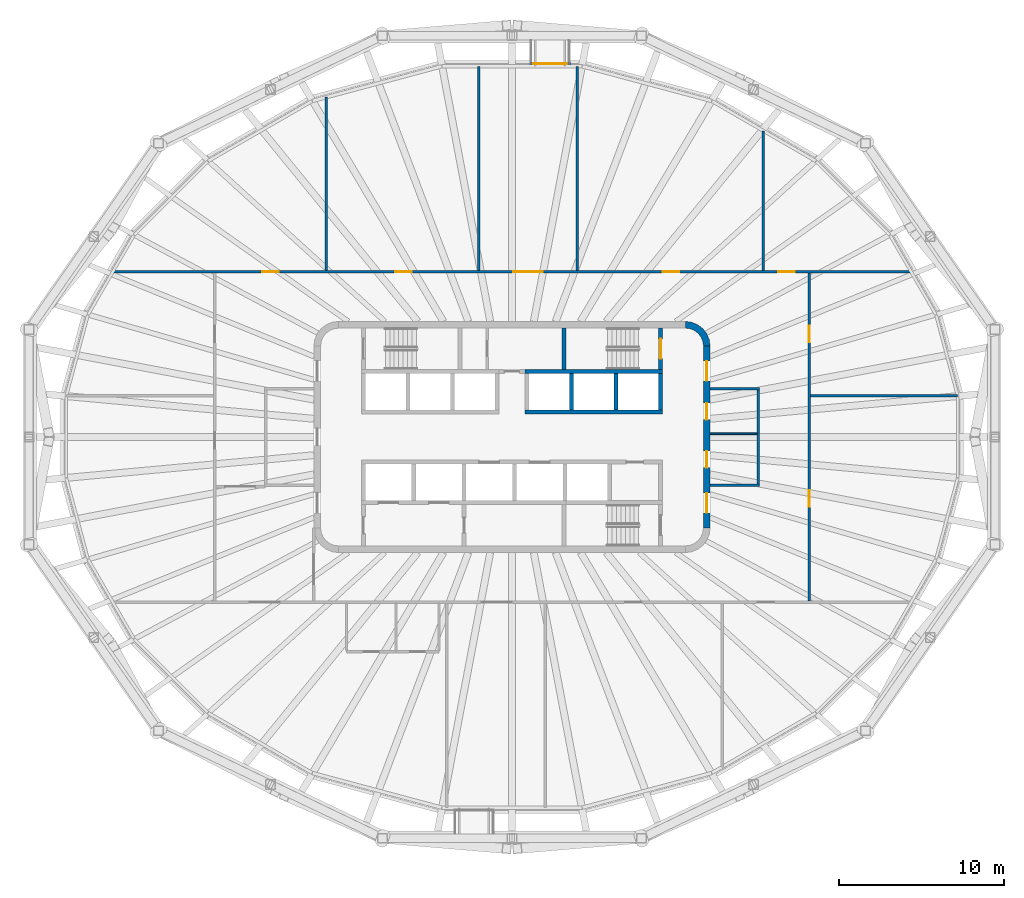
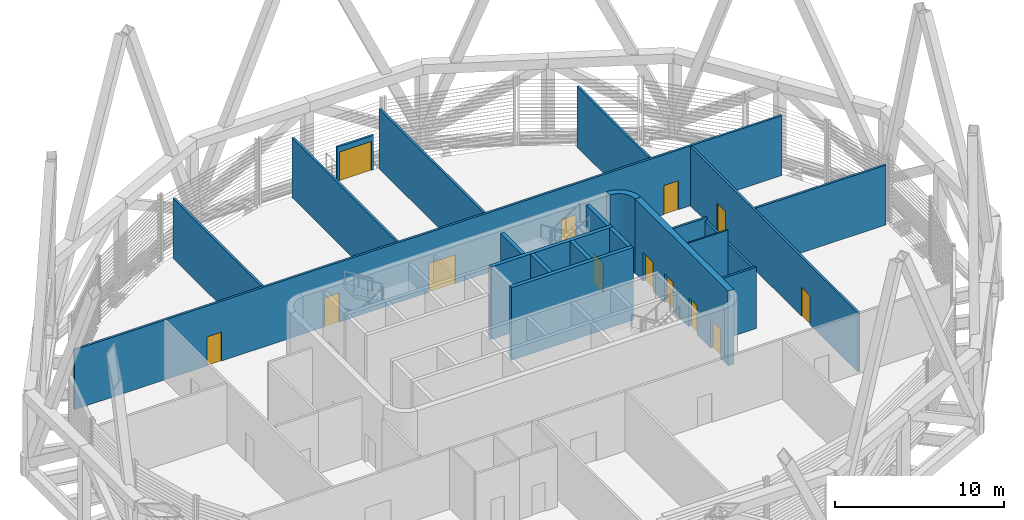
# One storey, part 7 of 16: 21 walls, 13 doors, 13 openings.
"""IFC4 building model written with IfcOpenShell, lengths in metres."""

from ifc_helpers import new_model, si_unit, direction, frame, frame_2d, origin, place, context, subcontext, project, spatial, polyline, rectangle, outline, extrude, material, layer, layer_set, type_object, element, fill, save


model = new_model("IFC4")

# Units and contexts
model_context = context("Model", 3, precision=1e-05, world=origin(), true_north=direction((0.0, 1.0)))
body_context = subcontext(model_context, "Body", "Model", "MODEL_VIEW")
ifc_project = project(units=[si_unit("LENGTHUNIT", "METRE"), si_unit("AREAUNIT", "SQUARE_METRE"), si_unit("VOLUMEUNIT", "CUBIC_METRE"), si_unit("PLANEANGLEUNIT", "RADIAN"), si_unit("MASSUNIT", "GRAM", prefix="KILO")], contexts=[model_context])

# Site, building, storey
site_placement = place(None, origin())
site = spatial("IfcSite", under=ifc_project, at=site_placement, CompositionType="ELEMENT")
building_placement = place(site_placement, origin())
building = spatial("IfcBuilding", under=site, at=building_placement, Name="Sahrelin Media Tower", CompositionType="ELEMENT")
storey_placement = place(building_placement, frame((0.0, 0.0, 299.0)))
storey = spatial("IfcBuildingStorey", under=building, at=storey_placement, Name="L66", CompositionType="ELEMENT", Elevation=299.0)

# Wall, openings, doors
ifc_material_1 = material(Name="Concrete C60/75", Category="concrete")
ifc_layer_1 = layer(ifc_material_1, 0.39990234375)
ifc_layer_set_1 = layer_set([ifc_layer_1], Name="Core wall 400")
wall_type_1 = type_object("IfcWallType", Name="Core wall 400", PredefinedType="SHEAR", material=ifc_layer_set_1)
wall_1_placement = place(storey_placement, frame((11.800048828125, -5.5, 0.0), z_axis=(0.0, 0.0, 1.0), x_axis=(0.0, 1.0, 0.0)))
wall_1 = element("IfcWall", 1, at=wall_1_placement, inside=storey, type_object=wall_type_1, Name="Core wall E L66", PredefinedType="SHEAR", context=body_context, shape_type="SweptSolid", body=[
    extrude(rectangle(XDim=11.0, YDim=0.39990234375, at=frame_2d((5.5, 0.0))), origin(), (0.0, 0.0, 1.0), 5.39990234375),
])
opening_1_placement = place(wall_1_placement, frame((3.64990234375, 0.0, 0.0)))
opening_1 = element("IfcOpeningElement", 2, at=opening_1_placement, cuts=wall_1, Name="Opening L66-D10", PredefinedType="OPENING", context=body_context, shape_type="SweptSolid", body=[
    extrude(rectangle(XDim=1.0, YDim=2.10009765625, at=frame_2d((0.5, 1.050048828125))), frame((0.0, 0.199951171875, 0.0), z_axis=(0.0, -1.0, 0.0), x_axis=(1.0, 0.0, 0.0)), (0.0, 0.0, 1.0), 0.39990234375),
])
opening_2_placement = place(wall_1_placement, frame((6.550048828125, 0.0, 0.0)))
opening_2 = element("IfcOpeningElement", 3, at=opening_2_placement, cuts=wall_1, Name="Opening L66-D11", PredefinedType="OPENING", context=body_context, shape_type="SweptSolid", body=[
    extrude(rectangle(XDim=1.0, YDim=2.10009765625, at=frame_2d((0.5, 1.050048828125))), frame((0.0, 0.199951171875, 0.0), z_axis=(0.0, -1.0, 0.0), x_axis=(1.0, 0.0, 0.0)), (0.0, 0.0, 1.0), 0.39990234375),
])
opening_3_placement = place(wall_1_placement, frame((0.89990234375, 0.0, 0.0)))
opening_3 = element("IfcOpeningElement", 4, at=opening_3_placement, cuts=wall_1, Name="Opening L66-D14", PredefinedType="OPENING", context=body_context, shape_type="SweptSolid", body=[
    extrude(rectangle(XDim=1.199951171875, YDim=2.10009765625, at=frame_2d((0.60009765625, 1.050048828125))), frame((0.0, 0.199951171875, 0.0), z_axis=(0.0, -1.0, 0.0), x_axis=(1.0, 0.0, 0.0)), (0.0, 0.0, 1.0), 0.39990234375),
])
opening_4_placement = place(wall_1_placement, frame((8.89990234375, 0.0, 0.0)))
opening_4 = element("IfcOpeningElement", 5, at=opening_4_placement, cuts=wall_1, Name="Opening L66-D15", PredefinedType="OPENING", context=body_context, shape_type="SweptSolid", body=[
    extrude(rectangle(XDim=1.199951171875, YDim=2.10009765625, at=frame_2d((0.60009765625, 1.050048828125))), frame((0.0, 0.199951171875, 0.0), z_axis=(0.0, -1.0, 0.0), x_axis=(1.0, 0.0, 0.0)), (0.0, 0.0, 1.0), 0.39990234375),
])
ifc_material_2 = material(Name="Steel fire door leaf", Category="steel")
door_type_1 = type_object("IfcDoorType", Name="Fire door 1000 x 2100 EI 60", OperationType="NOTDEFINED", PredefinedType="DOOR", material=ifc_material_2)
door_1_placement = place(opening_1_placement, origin())
door_1 = element("IfcDoor", 6, at=door_1_placement, inside=storey, type_object=door_type_1, Name="Core room door", OperationType="SINGLE_SWING_RIGHT", OverallHeight=2.10009765625, OverallWidth=1.0, PredefinedType="DOOR", context=body_context, shape_type="SweptSolid", body=[
    extrude(rectangle(XDim=1.0, YDim=2.10009765625, at=frame_2d((0.5, 1.050048828125))), frame((0.0, 0.02490234375, 0.0), z_axis=(0.0, -1.0, 0.0), x_axis=(1.0, 0.0, 0.0)), (0.0, 0.0, 1.0), 0.050048828125),
])
fill(opening_1, door_1)
door_2_placement = place(opening_2_placement, origin())
door_2 = element("IfcDoor", 7, at=door_2_placement, inside=storey, type_object=door_type_1, Name="Core room door", OperationType="SINGLE_SWING_RIGHT", OverallHeight=2.10009765625, OverallWidth=1.0, PredefinedType="DOOR", context=body_context, shape_type="SweptSolid", body=[
    extrude(rectangle(XDim=1.0, YDim=2.10009765625, at=frame_2d((0.5, 1.050048828125))), frame((0.0, 0.02490234375, 0.0), z_axis=(0.0, -1.0, 0.0), x_axis=(1.0, 0.0, 0.0)), (0.0, 0.0, 1.0), 0.050048828125),
])
fill(opening_2, door_2)
door_type_2 = type_object("IfcDoorType", Name="Lobby door 1200 x 2100 EI 60", OperationType="NOTDEFINED", PredefinedType="DOOR", material=ifc_material_2)
door_3_placement = place(opening_3_placement, origin())
door_3 = element("IfcDoor", 8, at=door_3_placement, inside=storey, type_object=door_type_2, Name="Lobby door", OperationType="SINGLE_SWING_LEFT", OverallHeight=2.10009765625, OverallWidth=1.199951171875, PredefinedType="DOOR", context=body_context, shape_type="SweptSolid", body=[
    extrude(rectangle(XDim=1.199951171875, YDim=2.10009765625, at=frame_2d((0.60009765625, 1.050048828125))), frame((0.0, 0.02490234375, 0.0), z_axis=(0.0, -1.0, 0.0), x_axis=(1.0, 0.0, 0.0)), (0.0, 0.0, 1.0), 0.050048828125),
])
fill(opening_3, door_3)
door_4_placement = place(opening_4_placement, origin())
door_4 = element("IfcDoor", 9, at=door_4_placement, inside=storey, type_object=door_type_2, Name="Lobby door", OperationType="SINGLE_SWING_LEFT", OverallHeight=2.10009765625, OverallWidth=1.199951171875, PredefinedType="DOOR", context=body_context, shape_type="SweptSolid", body=[
    extrude(rectangle(XDim=1.199951171875, YDim=2.10009765625, at=frame_2d((0.60009765625, 1.050048828125))), frame((0.0, 0.02490234375, 0.0), z_axis=(0.0, -1.0, 0.0), x_axis=(1.0, 0.0, 0.0)), (0.0, 0.0, 1.0), 0.050048828125),
])
fill(opening_4, door_4)

# Walls
wall_2_placement = place(storey_placement, origin())
element("IfcWall", 10, at=wall_2_placement, inside=storey, type_object=wall_type_1, Name="Core wall corner NE L66", PredefinedType="SHEAR", context=body_context, shape_type="SweptSolid", body=[
    extrude(outline(polyline([(10.5, 7.0), (10.5, 6.596435546875), (10.78369140625, 6.55908203125), (11.04833984375, 6.44970703125), (11.275390625, 6.275390625), (11.44970703125, 6.04833984375), (11.55908203125, 5.78369140625), (11.596435546875, 5.5), (12.0, 5.5), (11.948974609375, 5.88818359375), (11.799072265625, 6.25), (11.560791015625, 6.560791015625), (11.25, 6.799072265625), (10.88818359375, 6.948974609375), (10.5, 7.0)])), origin(), (0.0, 0.0, 1.0), 5.39990234375),
])
ifc_material_3 = material(Name="Fire-rated gypsum board partition")
ifc_layer_2 = layer(ifc_material_3, 0.10009765625)
ifc_layer_set_2 = layer_set([ifc_layer_2], Name="Fire-rated partition 100")
wall_type_2 = type_object("IfcWallType", Name="Fire-rated partition 100", PredefinedType="PARTITIONING", material=ifc_layer_set_2)
wall_3_placement = place(storey_placement, frame((12.0, 0.199951171875, 0.0), z_axis=(0.0, 0.0, 1.0), x_axis=(1.0, 0.0, 0.0)))
element("IfcWall", 11, at=wall_3_placement, inside=storey, type_object=wall_type_2, Name="Core room partition", PredefinedType="PARTITIONING", context=body_context, shape_type="SweptSolid", body=[
    extrude(rectangle(XDim=2.85009765625, YDim=0.10009765625, at=frame_2d((1.425048828125, 0.0))), origin(), (0.0, 0.0, 1.0), 5.25),
])
ifc_layer_3 = layer(ifc_material_3, 0.14990234375)
ifc_layer_set_3 = layer_set([ifc_layer_3], Name="Fire-rated partition 150")
wall_type_3 = type_object("IfcWallType", Name="Fire-rated partition 150", PredefinedType="PARTITIONING", material=ifc_layer_set_3)
wall_4_placement = place(storey_placement, frame((14.925048828125, -2.85009765625, 0.0), z_axis=(0.0, 0.0, 1.0), x_axis=(0.0, 1.0, 0.0)))
element("IfcWall", 12, at=wall_4_placement, inside=storey, type_object=wall_type_3, Name="Core room fire partition", PredefinedType="PARTITIONING", context=body_context, shape_type="SweptSolid", body=[
    extrude(rectangle(XDim=5.7001953125, YDim=0.14990234375, at=frame_2d((2.85009765625, 0.0))), origin(), (0.0, 0.0, 1.0), 4.277099609375),
])
wall_5_placement = place(storey_placement, frame((12.0, 2.925048828125, 0.0), z_axis=(0.0, 0.0, 1.0), x_axis=(1.0, 0.0, 0.0)))
element("IfcWall", 13, at=wall_5_placement, inside=storey, type_object=wall_type_3, Name="Core room fire partition", PredefinedType="PARTITIONING", context=body_context, shape_type="SweptSolid", body=[
    extrude(rectangle(XDim=3.0, YDim=0.14990234375, at=frame_2d((1.5, 0.0))), origin(), (0.0, 0.0, 1.0), 4.47607421875),
])
wall_6_placement = place(storey_placement, frame((12.0, -2.925048828125, 0.0), z_axis=(0.0, 0.0, 1.0), x_axis=(1.0, 0.0, 0.0)))
element("IfcWall", 14, at=wall_6_placement, inside=storey, type_object=wall_type_3, Name="Core room fire partition", PredefinedType="PARTITIONING", context=body_context, shape_type="SweptSolid", body=[
    extrude(rectangle(XDim=3.0, YDim=0.14990234375, at=frame_2d((1.5, 0.0))), origin(), (0.0, 0.0, 1.0), 4.426025390625),
])

# Wall, openings, doors
wall_7_placement = place(storey_placement, frame((-24.179443359375, 10.0, 0.0), z_axis=(0.0, 0.0, 1.0), x_axis=(1.0, 0.0, 0.0)))
wall_7 = element("IfcWall", 15, at=wall_7_placement, inside=storey, type_object=wall_type_3, Name="Wall", PredefinedType="PARTITIONING", context=body_context, shape_type="SweptSolid", body=[
    extrude(rectangle(XDim=48.35888671875, YDim=0.14990234375, at=frame_2d((24.179443359375, 0.0))), origin(), (0.0, 0.0, 1.0), 4.326904296875),
])
opening_5_placement = place(wall_7_placement, frame((9.050048828125, 0.0, 0.0)))
opening_5 = element("IfcOpeningElement", 16, at=opening_5_placement, cuts=wall_7, Name="Opening L66-D16", PredefinedType="OPENING", context=body_context, shape_type="SweptSolid", body=[
    extrude(rectangle(XDim=1.0, YDim=2.10009765625, at=frame_2d((0.5, 1.050048828125))), frame((0.0, 0.074951171875, 0.0), z_axis=(0.0, -1.0, 0.0), x_axis=(1.0, 0.0, 0.0)), (0.0, 0.0, 1.0), 0.14990234375),
])
opening_6_placement = place(wall_7_placement, frame((17.10009765625, 0.0, 0.0)))
opening_6 = element("IfcOpeningElement", 17, at=opening_6_placement, cuts=wall_7, Name="Opening L66-D17", PredefinedType="OPENING", context=body_context, shape_type="SweptSolid", body=[
    extrude(rectangle(XDim=1.0, YDim=2.10009765625, at=frame_2d((0.5, 1.050048828125))), frame((0.0, 0.074951171875, 0.0), z_axis=(0.0, -1.0, 0.0), x_axis=(1.0, 0.0, 0.0)), (0.0, 0.0, 1.0), 0.14990234375),
])
opening_7_placement = place(wall_7_placement, frame((33.300048828125, 0.0, 0.0)))
opening_7 = element("IfcOpeningElement", 18, at=opening_7_placement, cuts=wall_7, Name="Opening L66-D18", PredefinedType="OPENING", context=body_context, shape_type="SweptSolid", body=[
    extrude(rectangle(XDim=1.0, YDim=2.10009765625, at=frame_2d((0.5, 1.050048828125))), frame((0.0, 0.074951171875, 0.0), z_axis=(0.0, -1.0, 0.0), x_axis=(1.0, 0.0, 0.0)), (0.0, 0.0, 1.0), 0.14990234375),
])
opening_8_placement = place(wall_7_placement, frame((40.300048828125, 0.0, 0.0)))
opening_8 = element("IfcOpeningElement", 19, at=opening_8_placement, cuts=wall_7, Name="Opening L66-D19", PredefinedType="OPENING", context=body_context, shape_type="SweptSolid", body=[
    extrude(rectangle(XDim=1.0, YDim=2.10009765625, at=frame_2d((0.5, 1.050048828125))), frame((0.0, 0.074951171875, 0.0), z_axis=(0.0, -1.0, 0.0), x_axis=(1.0, 0.0, 0.0)), (0.0, 0.0, 1.0), 0.14990234375),
])
opening_9_placement = place(wall_7_placement, frame((24.25, 0.0, 0.0)))
opening_9 = element("IfcOpeningElement", 20, at=opening_9_placement, cuts=wall_7, Name="Opening L66-D31", PredefinedType="OPENING", context=body_context, shape_type="SweptSolid", body=[
    extrude(rectangle(XDim=1.800048828125, YDim=2.10009765625, at=frame_2d((0.89990234375, 1.050048828125))), frame((0.0, 0.074951171875, 0.0), z_axis=(0.0, -1.0, 0.0), x_axis=(1.0, 0.0, 0.0)), (0.0, 0.0, 1.0), 0.14990234375),
])
door_5_placement = place(opening_5_placement, origin())
door_5 = element("IfcDoor", 21, at=door_5_placement, inside=storey, type_object=door_type_1, Name="Fire door", OperationType="SINGLE_SWING_LEFT", OverallHeight=2.10009765625, OverallWidth=1.0, PredefinedType="DOOR", context=body_context, shape_type="SweptSolid", body=[
    extrude(rectangle(XDim=1.0, YDim=2.10009765625, at=frame_2d((0.5, 1.050048828125))), frame((0.0, 0.02490234375, 0.0), z_axis=(0.0, -1.0, 0.0), x_axis=(1.0, 0.0, 0.0)), (0.0, 0.0, 1.0), 0.050048828125),
])
fill(opening_5, door_5)
door_6_placement = place(opening_6_placement, origin())
door_6 = element("IfcDoor", 22, at=door_6_placement, inside=storey, type_object=door_type_1, Name="Fire door", OperationType="SINGLE_SWING_LEFT", OverallHeight=2.10009765625, OverallWidth=1.0, PredefinedType="DOOR", context=body_context, shape_type="SweptSolid", body=[
    extrude(rectangle(XDim=1.0, YDim=2.10009765625, at=frame_2d((0.5, 1.050048828125))), frame((0.0, 0.02490234375, 0.0), z_axis=(0.0, -1.0, 0.0), x_axis=(1.0, 0.0, 0.0)), (0.0, 0.0, 1.0), 0.050048828125),
])
fill(opening_6, door_6)
door_7_placement = place(opening_7_placement, origin())
door_7 = element("IfcDoor", 23, at=door_7_placement, inside=storey, type_object=door_type_1, Name="Fire door", OperationType="SINGLE_SWING_RIGHT", OverallHeight=2.10009765625, OverallWidth=1.0, PredefinedType="DOOR", context=body_context, shape_type="SweptSolid", body=[
    extrude(rectangle(XDim=1.0, YDim=2.10009765625, at=frame_2d((0.5, 1.050048828125))), frame((0.0, 0.02490234375, 0.0), z_axis=(0.0, -1.0, 0.0), x_axis=(1.0, 0.0, 0.0)), (0.0, 0.0, 1.0), 0.050048828125),
])
fill(opening_7, door_7)
door_8_placement = place(opening_8_placement, origin())
door_8 = element("IfcDoor", 24, at=door_8_placement, inside=storey, type_object=door_type_1, Name="Fire door", OperationType="SINGLE_SWING_RIGHT", OverallHeight=2.10009765625, OverallWidth=1.0, PredefinedType="DOOR", context=body_context, shape_type="SweptSolid", body=[
    extrude(rectangle(XDim=1.0, YDim=2.10009765625, at=frame_2d((0.5, 1.050048828125))), frame((0.0, 0.02490234375, 0.0), z_axis=(0.0, -1.0, 0.0), x_axis=(1.0, 0.0, 0.0)), (0.0, 0.0, 1.0), 0.050048828125),
])
fill(opening_8, door_8)
door_type_3 = type_object("IfcDoorType", Name="Service double door 1800 x 2100 EI 60", OperationType="DOUBLE_DOOR_SINGLE_SWING", PredefinedType="DOOR", material=ifc_material_2)
door_9_placement = place(opening_9_placement, origin())
door_9 = element("IfcDoor", 25, at=door_9_placement, inside=storey, type_object=door_type_3, Name="Service double door", OperationType="DOUBLE_DOOR_SINGLE_SWING", OverallHeight=2.10009765625, OverallWidth=1.800048828125, PredefinedType="DOOR", context=body_context, shape_type="SweptSolid", body=[
    extrude(rectangle(XDim=1.800048828125, YDim=2.10009765625, at=frame_2d((0.89990234375, 1.050048828125))), frame((0.0, 0.02490234375, 0.0), z_axis=(0.0, -1.0, 0.0), x_axis=(1.0, 0.0, 0.0)), (0.0, 0.0, 1.0), 0.050048828125),
])
fill(opening_9, door_9)

wall_8_placement = place(storey_placement, frame((18.0, -9.925048828125, 0.0), z_axis=(0.0, 0.0, 1.0), x_axis=(0.0, 1.0, 0.0)))
wall_8 = element("IfcWall", 26, at=wall_8_placement, inside=storey, type_object=wall_type_3, Name="Wall", PredefinedType="PARTITIONING", context=body_context, shape_type="SweptSolid", body=[
    extrude(rectangle(XDim=19.85009765625, YDim=0.14990234375, at=frame_2d((9.925048828125, 0.0))), origin(), (0.0, 0.0, 1.0), 4.277099609375),
])
opening_10_placement = place(wall_8_placement, frame((5.699951171875, 0.0, 0.0)))
opening_10 = element("IfcOpeningElement", 27, at=opening_10_placement, cuts=wall_8, Name="Opening L66-D22", PredefinedType="OPENING", context=body_context, shape_type="SweptSolid", body=[
    extrude(rectangle(XDim=1.0, YDim=2.10009765625, at=frame_2d((0.5, 1.050048828125))), frame((0.0, 0.074951171875, 0.0), z_axis=(0.0, -1.0, 0.0), x_axis=(1.0, 0.0, 0.0)), (0.0, 0.0, 1.0), 0.14990234375),
])
opening_11_placement = place(wall_8_placement, frame((15.675048828125, 0.0, 0.0)))
opening_11 = element("IfcOpeningElement", 28, at=opening_11_placement, cuts=wall_8, Name="Opening L66-D23", PredefinedType="OPENING", context=body_context, shape_type="SweptSolid", body=[
    extrude(rectangle(XDim=1.0, YDim=2.10009765625, at=frame_2d((0.5, 1.050048828125))), frame((0.0, 0.074951171875, 0.0), z_axis=(0.0, -1.0, 0.0), x_axis=(1.0, 0.0, 0.0)), (0.0, 0.0, 1.0), 0.14990234375),
])
door_10_placement = place(opening_10_placement, origin())
door_10 = element("IfcDoor", 29, at=door_10_placement, inside=storey, type_object=door_type_1, Name="Fire door", OperationType="SINGLE_SWING_LEFT", OverallHeight=2.10009765625, OverallWidth=1.0, PredefinedType="DOOR", context=body_context, shape_type="SweptSolid", body=[
    extrude(rectangle(XDim=1.0, YDim=2.10009765625, at=frame_2d((0.5, 1.050048828125))), frame((0.0, 0.02490234375, 0.0), z_axis=(0.0, -1.0, 0.0), x_axis=(1.0, 0.0, 0.0)), (0.0, 0.0, 1.0), 0.050048828125),
])
fill(opening_10, door_10)
door_11_placement = place(opening_11_placement, origin())
door_11 = element("IfcDoor", 30, at=door_11_placement, inside=storey, type_object=door_type_1, Name="Fire door", OperationType="SINGLE_SWING_RIGHT", OverallHeight=2.10009765625, OverallWidth=1.0, PredefinedType="DOOR", context=body_context, shape_type="SweptSolid", body=[
    extrude(rectangle(XDim=1.0, YDim=2.10009765625, at=frame_2d((0.5, 1.050048828125))), frame((0.0, 0.02490234375, 0.0), z_axis=(0.0, -1.0, 0.0), x_axis=(1.0, 0.0, 0.0)), (0.0, 0.0, 1.0), 0.050048828125),
])
fill(opening_11, door_11)

# Walls
for number, where, z_axis, x_axis, name in (
    (31, (-2.0, 10.074951171875, 0.0), (0.0, 0.0, 1.0), (0.0, 1.0, 0.0), "Wall"),
    (32, (3.949951171875, 10.074951171875, 0.0), (0.0, 0.0, 1.0), (0.0, 1.0, 0.0), "Wall"),
):
    element("IfcWall", number, at=place(storey_placement, frame(where, z_axis=z_axis, x_axis=x_axis)), inside=storey, type_object=wall_type_3, Name=name, PredefinedType="PARTITIONING", context=body_context, shape_type="SweptSolid", body=[
        extrude(rectangle(XDim=12.38037109375, YDim=0.14990234375, at=frame_2d((6.190185546875, 0.0))), origin(), (0.0, 0.0, 1.0), 4.326904296875),
    ])
wall_9_placement = place(storey_placement, frame((-11.239990234375, 10.074951171875, 0.0), z_axis=(0.0, 0.0, 1.0), x_axis=(0.0, 1.0, 0.0)))
element("IfcWall", 33, at=wall_9_placement, inside=storey, type_object=wall_type_3, Name="Wall", PredefinedType="PARTITIONING", context=body_context, shape_type="SweptSolid", body=[
    extrude(rectangle(XDim=10.505126953125, YDim=0.14990234375, at=frame_2d((5.25244140625, 0.0))), origin(), (0.0, 0.0, 1.0), 4.326904296875),
])
wall_10_placement = place(storey_placement, frame((15.219970703125, 10.074951171875, 0.0), z_axis=(0.0, 0.0, 1.0), x_axis=(0.0, 1.0, 0.0)))
element("IfcWall", 34, at=wall_10_placement, inside=storey, type_object=wall_type_3, Name="Wall", PredefinedType="PARTITIONING", context=body_context, shape_type="SweptSolid", body=[
    extrude(rectangle(XDim=8.4736328125, YDim=0.14990234375, at=frame_2d((4.23681640625, 0.0))), origin(), (0.0, 0.0, 1.0), 4.395263671875),
])
wall_11_placement = place(storey_placement, frame((18.074951171875, 2.5, 0.0), z_axis=(0.0, 0.0, 1.0), x_axis=(1.0, 0.0, 0.0)))
element("IfcWall", 35, at=wall_11_placement, inside=storey, type_object=wall_type_3, Name="Wall", PredefinedType="PARTITIONING", context=body_context, shape_type="SweptSolid", body=[
    extrude(rectangle(XDim=8.919677734375, YDim=0.14990234375, at=frame_2d((4.4599609375, 0.0))), origin(), (0.0, 0.0, 1.0), 4.326904296875),
])
ifc_layer_4 = layer(ifc_material_1, 0.25)
ifc_layer_set_4 = layer_set([ifc_layer_4], Name="Lift shaft wall 250")
wall_type_4 = type_object("IfcWallType", Name="Lift shaft wall 250", PredefinedType="SOLIDWALL", material=ifc_layer_set_4)
for number, where, z_axis, x_axis, name in (
    (36, (0.77490234375, 1.52490234375, 0.0), (0.0, 0.0, 1.0), (1.0, 0.0, 0.0), "Lift shaft wall"),
    (37, (0.77490234375, 3.97509765625, 0.0), (0.0, 0.0, 1.0), (1.0, 0.0, 0.0), "Lift shaft wall"),
):
    element("IfcWall", number, at=place(storey_placement, frame(where, z_axis=z_axis, x_axis=x_axis)), inside=storey, type_object=wall_type_4, Name=name, PredefinedType="SOLIDWALL", context=body_context, shape_type="SweptSolid", body=[
        extrude(rectangle(XDim=8.35009765625, YDim=0.25, at=frame_2d((4.175048828125, 0.0))), origin(), (0.0, 0.0, 1.0), 5.25),
    ])
for number, where, z_axis, x_axis, name in (
    (38, (9.0, 1.64990234375, 0.0), (0.0, 0.0, 1.0), (0.0, 1.0, 0.0), "Lift shaft wall"),
    (39, (6.300048828125, 1.64990234375, 0.0), (0.0, 0.0, 1.0), (0.0, 1.0, 0.0), "Lift shaft wall"),
    (40, (3.60009765625, 1.64990234375, 0.0), (0.0, 0.0, 1.0), (0.0, 1.0, 0.0), "Lift shaft wall"),
):
    element("IfcWall", number, at=place(storey_placement, frame(where, z_axis=z_axis, x_axis=x_axis)), inside=storey, type_object=wall_type_4, Name=name, PredefinedType="SOLIDWALL", context=body_context, shape_type="SweptSolid", body=[
        extrude(rectangle(XDim=2.2001953125, YDim=0.25, at=frame_2d((1.10009765625, 0.0))), origin(), (0.0, 0.0, 1.0), 5.25),
    ])

# Wall, opening, door
ifc_material_4 = material(Name="Aluminium louvre cladding 6063-T6", Category="aluminium")
ifc_layer_5 = layer(ifc_material_4, 0.14990234375)
ifc_layer_set_5 = layer_set([ifc_layer_5], Name="Plant louvre door wall")
wall_type_5 = type_object("IfcWallType", Name="Plant louvre door wall", PredefinedType="SOLIDWALL", material=ifc_layer_set_5)
wall_12_placement = place(storey_placement, frame((1.050048828125, 22.605224609375, 0.0), z_axis=(0.0, 0.0, 1.0), x_axis=(1.0, 0.0, 0.0)))
wall_12 = element("IfcWall", 41, at=wall_12_placement, inside=storey, type_object=wall_type_5, Name="Plant louvre door wall L66-06", PredefinedType="SOLIDWALL", context=body_context, shape_type="SweptSolid", body=[
    extrude(rectangle(XDim=2.5, YDim=0.14990234375, at=frame_2d((1.25, 0.0))), origin(), (0.0, 0.0, 1.0), 2.5),
])
opening_12_placement = place(wall_12_placement, frame((0.14990234375, 0.0, 0.0)))
opening_12 = element("IfcOpeningElement", 42, at=opening_12_placement, cuts=wall_12, Name="Opening MD11", PredefinedType="OPENING", context=body_context, shape_type="SweptSolid", body=[
    extrude(rectangle(XDim=2.199951171875, YDim=2.10009765625, at=frame_2d((1.10009765625, 1.050048828125))), frame((0.0, 0.074951171875, 0.0), z_axis=(0.0, -1.0, 0.0), x_axis=(1.0, 0.0, 0.0)), (0.0, 0.0, 1.0), 0.14990234375),
])
ifc_material_5 = material(Name="Champagne anodised aluminium 6063-T6", Category="aluminium")
door_type_4 = type_object("IfcDoorType", Name="Plant maintenance door 2200x2100", OperationType="DOUBLE_DOOR_SINGLE_SWING", PredefinedType="DOOR", material=ifc_material_5)
door_12_placement = place(opening_12_placement, origin())
door_12 = element("IfcDoor", 43, at=door_12_placement, inside=storey, type_object=door_type_4, Name="Plant maintenance door MD11", OperationType="DOUBLE_DOOR_SINGLE_SWING", OverallHeight=2.10009765625, OverallWidth=2.199951171875, PredefinedType="DOOR", context=body_context, shape_type="SweptSolid", body=[
    extrude(rectangle(XDim=2.199951171875, YDim=2.10009765625, at=frame_2d((1.10009765625, 1.050048828125))), frame((0.0, 0.02490234375, 0.0), z_axis=(0.0, -1.0, 0.0), x_axis=(1.0, 0.0, 0.0)), (0.0, 0.0, 1.0), 0.050048828125),
])
fill(opening_12, door_12)

ifc_layer_6 = layer(ifc_material_1, 0.25)
ifc_layer_set_6 = layer_set([ifc_layer_6], Name="Stair enclosure wall 250")
wall_type_6 = type_object("IfcWallType", Name="Stair enclosure wall 250", PredefinedType="SOLIDWALL", material=ifc_layer_set_6)
wall_13_placement = place(storey_placement, frame((9.0, 4.10009765625, 0.0), z_axis=(0.0, 0.0, 1.0), x_axis=(0.0, 1.0, 0.0)))
wall_13 = element("IfcWall", 44, at=wall_13_placement, inside=storey, type_object=wall_type_6, Name="Stair enclosure wall", PredefinedType="SOLIDWALL", context=body_context, shape_type="SweptSolid", body=[
    extrude(rectangle(XDim=2.5, YDim=0.25, at=frame_2d((1.25, 0.0))), origin(), (0.0, 0.0, 1.0), 5.25),
])
opening_13_placement = place(wall_13_placement, frame((0.64990234375, 0.0, 0.0)))
opening_13 = element("IfcOpeningElement", 45, at=opening_13_placement, cuts=wall_13, Name="Opening L66-D02", PredefinedType="OPENING", context=body_context, shape_type="SweptSolid", body=[
    extrude(rectangle(XDim=1.199951171875, YDim=2.10009765625, at=frame_2d((0.60009765625, 1.050048828125))), frame((0.0, 0.125, 0.0), z_axis=(0.0, -1.0, 0.0), x_axis=(1.0, 0.0, 0.0)), (0.0, 0.0, 1.0), 0.25),
])
door_type_5 = type_object("IfcDoorType", Name="Stair door 1200 x 2100 EI 120", OperationType="NOTDEFINED", PredefinedType="DOOR", material=ifc_material_2)
door_13_placement = place(opening_13_placement, origin())
door_13 = element("IfcDoor", 46, at=door_13_placement, inside=storey, type_object=door_type_5, Name="Stair door ST3", OperationType="SINGLE_SWING_LEFT", OverallHeight=2.10009765625, OverallWidth=1.199951171875, PredefinedType="DOOR", context=body_context, shape_type="SweptSolid", body=[
    extrude(rectangle(XDim=1.199951171875, YDim=2.10009765625, at=frame_2d((0.60009765625, 1.050048828125))), frame((0.0, 0.02490234375, 0.0), z_axis=(0.0, -1.0, 0.0), x_axis=(1.0, 0.0, 0.0)), (0.0, 0.0, 1.0), 0.050048828125),
])
fill(opening_13, door_13)

# Wall
wall_14_placement = place(storey_placement, frame((3.14990234375, 4.10009765625, 0.0), z_axis=(0.0, 0.0, 1.0), x_axis=(0.0, 1.0, 0.0)))
element("IfcWall", 47, at=wall_14_placement, inside=storey, type_object=wall_type_6, Name="Stair enclosure wall", PredefinedType="SOLIDWALL", context=body_context, shape_type="SweptSolid", body=[
    extrude(rectangle(XDim=2.5, YDim=0.25, at=frame_2d((1.25, 0.0))), origin(), (0.0, 0.0, 1.0), 5.25),
])

save(model, "model.ifc")
